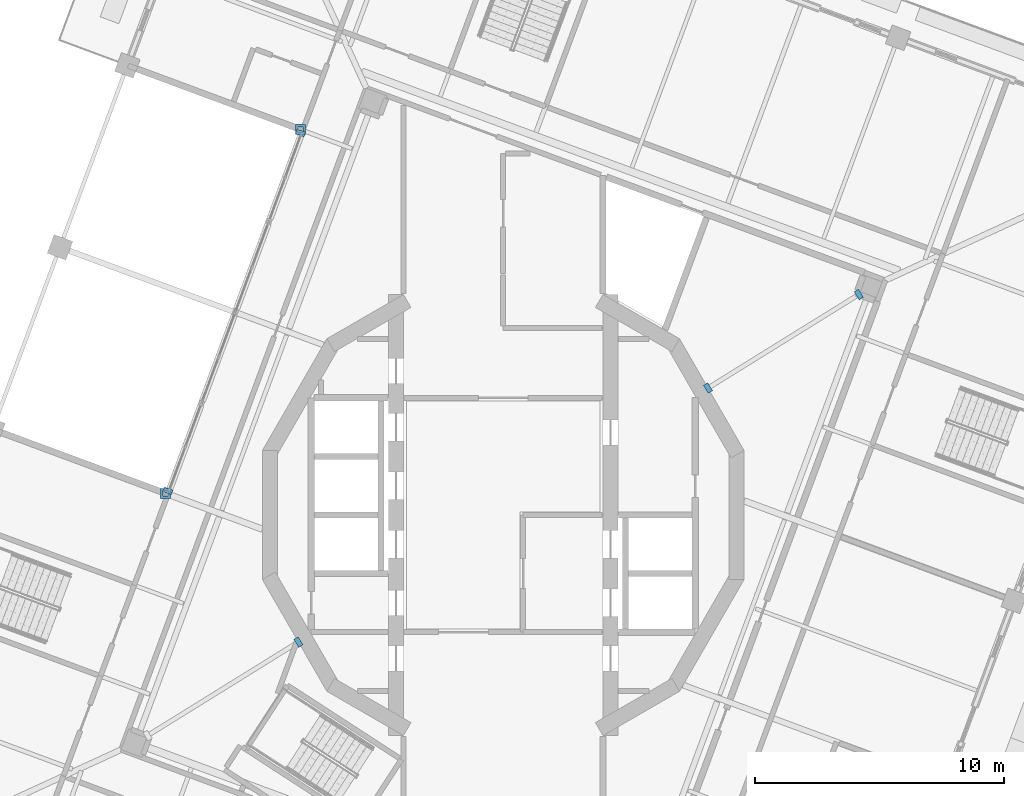
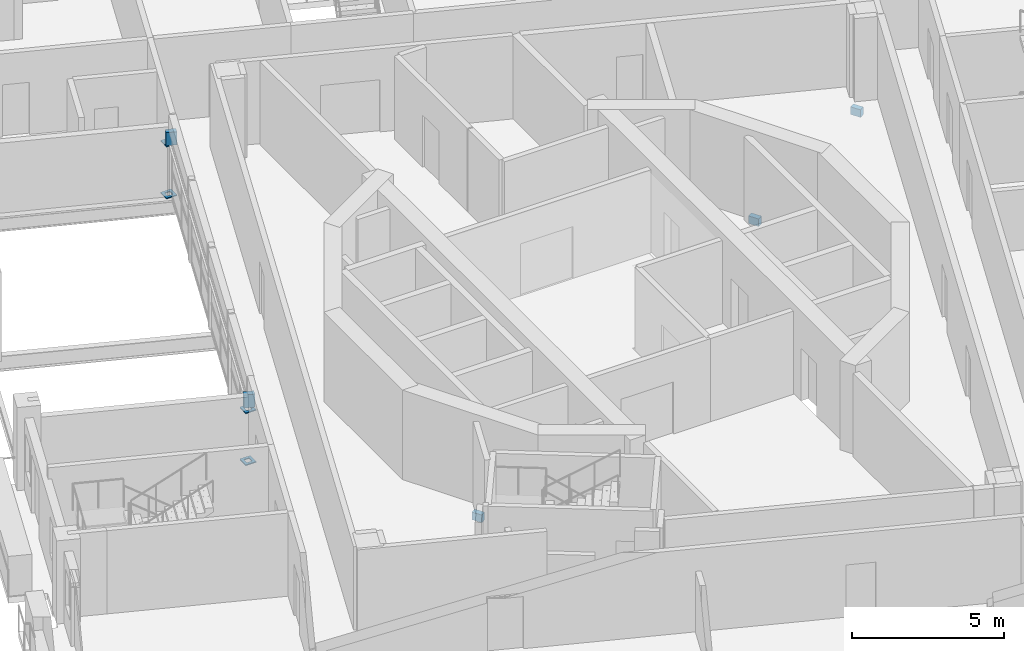
# One storey, part 14 of 20: 9 discrete accessories.
"""IFC4 building model written with IfcOpenShell, lengths in metres."""

from ifc_helpers import new_model, si_unit, direction, frame, origin, place, context, subcontext, project, spatial, polyline, outline, extrude, material, layer, layer_set, type_object, element, save


model = new_model("IFC4")

# Units and contexts
model_context = context("Model", 3, precision=1e-05, world=origin(), true_north=direction((0.0, 1.0)))
body_context = subcontext(model_context, "Body", "Model", "MODEL_VIEW")
ifc_project = project(units=[si_unit("LENGTHUNIT", "METRE"), si_unit("AREAUNIT", "SQUARE_METRE"), si_unit("VOLUMEUNIT", "CUBIC_METRE"), si_unit("PLANEANGLEUNIT", "RADIAN"), si_unit("MASSUNIT", "GRAM", prefix="KILO")], contexts=[model_context])

# Site, building, storey
site_placement = place(None, origin())
site = spatial("IfcSite", under=ifc_project, at=site_placement, CompositionType="ELEMENT")
building_placement = place(site_placement, origin())
building = spatial("IfcBuilding", under=site, at=building_placement, Name="Cantera Rosa Tower", CompositionType="ELEMENT")
storey_placement = place(building_placement, frame((0.0, 0.0, 313.300048828125)))
storey = spatial("IfcBuildingStorey", under=building, at=storey_placement, Name="L69", CompositionType="ELEMENT", Elevation=313.300048828125)

# Discrete accessories
ifc_material = material(Name="Steel ASTM A992 (Fy 345 MPa)", Category="steel")
ifc_layer = layer(ifc_material, 0.0400390625)
ifc_layer_set = layer_set([ifc_layer], Name="STEEL BEARING PLATE 40")
discrete_accessory_type = type_object("IfcDiscreteAccessoryType", Name="STEEL BEARING PLATE 40", PredefinedType="ANCHORPLATE", material=ifc_layer_set)
discrete_accessory_1_placement = place(storey_placement, frame((0.0, 0.0, -0.60595703125)))
element("IfcDiscreteAccessory", 1, at=discrete_accessory_1_placement, inside=storey, type_object=discrete_accessory_type, Name="BEARING PLATE PG-Z6-01 end 2 L69", PredefinedType="ANCHORPLATE", context=body_context, shape_type="SweptSolid", body=[
    extrude(outline(polyline([(-8.1982421875, -5.306640625), (-8.0283203125, -5.201416015625), (-8.2275390625, -4.880126953125), (-8.3974609375, -4.985595703125), (-8.1982421875, -5.306640625)])), origin(), (0.0, 0.0, 1.0), 0.305908203125),
])
discrete_accessory_2_placement = place(storey_placement, frame((0.0, 0.0, -0.60595703125)))
element("IfcDiscreteAccessory", 2, at=discrete_accessory_2_placement, inside=storey, type_object=discrete_accessory_type, Name="BEARING PLATE PG-Z6-02 end 1 L69", PredefinedType="ANCHORPLATE", context=body_context, shape_type="SweptSolid", body=[
    extrude(outline(polyline([(14.277099609375, 8.6318359375), (14.447021484375, 8.7373046875), (14.247802734375, 9.05859375), (14.077880859375, 8.953125), (14.277099609375, 8.6318359375)])), origin(), (0.0, 0.0, 1.0), 0.305908203125),
])
discrete_accessory_3_placement = place(storey_placement, frame((0.0, 0.0, -0.60595703125)))
element("IfcDiscreteAccessory", 3, at=discrete_accessory_3_placement, inside=storey, type_object=discrete_accessory_type, Name="BEARING PLATE PG-Z6-02 end 2 L69", PredefinedType="ANCHORPLATE", context=body_context, shape_type="SweptSolid", body=[
    extrude(outline(polyline([(8.1982421875, 5.306640625), (8.0283203125, 5.201416015625), (8.2275390625, 4.880126953125), (8.3974609375, 4.985595703125), (8.1982421875, 5.306640625)])), origin(), (0.0, 0.0, 1.0), 0.305908203125),
])
for number, where, name in (
    (4, (0.0, 0.0, 0.0), "POST PLATE L69-1F"),
    (5, (0.0, 0.0, 2.08984375), "POST PLATE L69-1T"),
):
    element("IfcDiscreteAccessory", number, at=place(storey_placement, frame(where)), inside=storey, type_object=discrete_accessory_type, Name=name, PredefinedType="ANCHORPLATE", context=body_context, shape_type="SweptSolid", body=[
        extrude(outline(polyline([(-8.334716796875, 15.260009765625), (-7.934814453125, 15.260009765625), (-7.934814453125, 15.66015625), (-8.334716796875, 15.66015625), (-8.334716796875, 15.260009765625)]), holes=[polyline([(-8.23486328125, 15.360107421875), (-8.034912109375, 15.360107421875), (-8.034912109375, 15.56005859375), (-8.23486328125, 15.56005859375), (-8.23486328125, 15.360107421875)])]), origin(), (0.0, 0.0, 1.0), 0.0400390625),
    ])
for number, where, name in (
    (6, (0.0, 0.0, 0.0), "POST PLATE L69-2F"),
    (7, (0.0, 0.0, 2.08984375), "POST PLATE L69-2T"),
):
    element("IfcDiscreteAccessory", number, at=place(storey_placement, frame(where)), inside=storey, type_object=discrete_accessory_type, Name=name, PredefinedType="ANCHORPLATE", context=body_context, shape_type="SweptSolid", body=[
        extrude(outline(polyline([(-13.74169921875, 0.669677734375), (-13.341552734375, 0.669677734375), (-13.341552734375, 1.069580078125), (-13.74169921875, 1.069580078125), (-13.74169921875, 0.669677734375)]), holes=[polyline([(-13.6416015625, 0.769775390625), (-13.441650390625, 0.769775390625), (-13.441650390625, 0.9697265625), (-13.6416015625, 0.9697265625), (-13.6416015625, 0.769775390625)])]), origin(), (0.0, 0.0, 1.0), 0.0400390625),
    ])
discrete_accessory_4_placement = place(storey_placement, frame((0.0, 0.0, 2.1298828125)))
element("IfcDiscreteAccessory", 8, at=discrete_accessory_4_placement, inside=storey, type_object=discrete_accessory_type, Name="LINTEL PLATE L69-1", PredefinedType="ANCHORPLATE", context=body_context, shape_type="SweptSolid", body=[
    extrude(outline(polyline([(-7.994384765625, 15.168212890625), (-7.925048828125, 15.355712890625), (-8.268310546875, 15.48291015625), (-8.337646484375, 15.29541015625), (-7.994384765625, 15.168212890625)])), origin(), (0.0, 0.0, 1.0), 0.528076171875),
])
discrete_accessory_5_placement = place(storey_placement, frame((0.0, 0.0, 2.1298828125)))
element("IfcDiscreteAccessory", 9, at=discrete_accessory_5_placement, inside=storey, type_object=discrete_accessory_type, Name="LINTEL PLATE L69-2", PredefinedType="ANCHORPLATE", context=body_context, shape_type="SweptSolid", body=[
    extrude(outline(polyline([(-13.588134765625, 1.126708984375), (-13.65771484375, 0.939208984375), (-13.314453125, 0.81201171875), (-13.2451171875, 0.999755859375), (-13.588134765625, 1.126708984375)])), origin(), (0.0, 0.0, 1.0), 0.528076171875),
])

save(model, "model.ifc")
